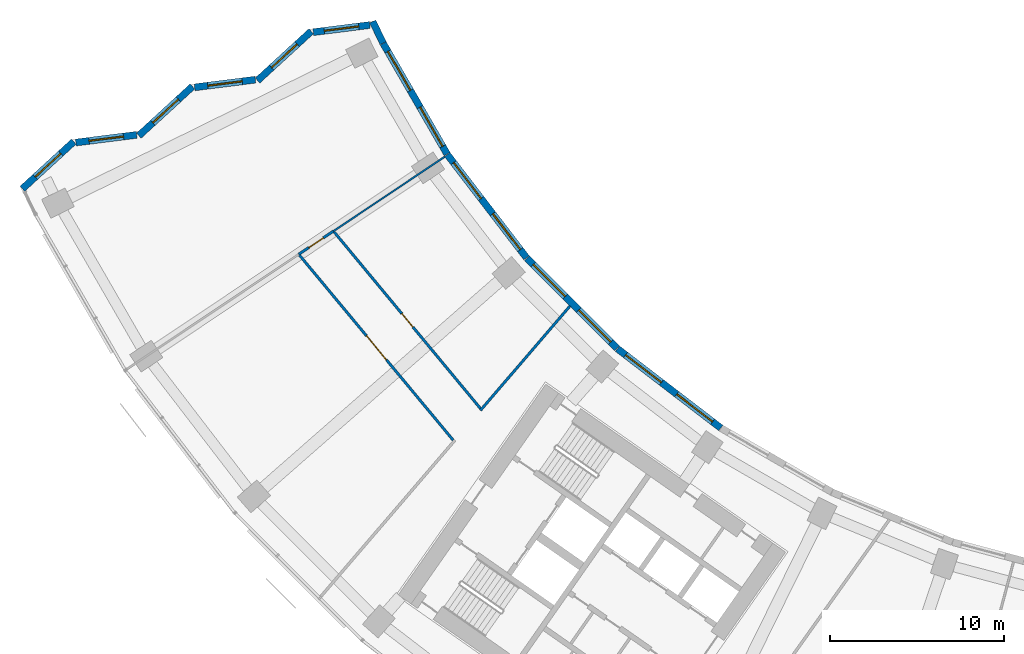
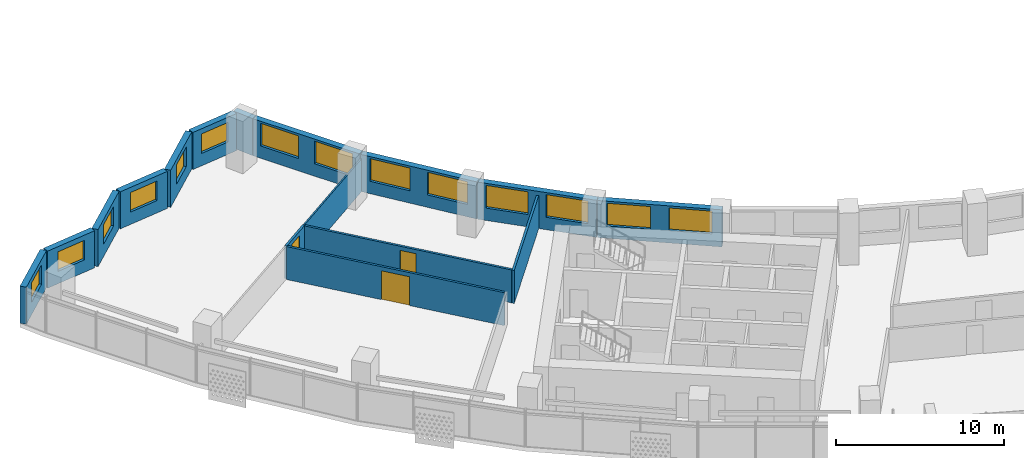
# One storey, part 5 of 30: 16 walls, 14 windows, 3 doors, 17 openings.
"""IFC4 building model written with IfcOpenShell, lengths in metres."""

import ifcopenshell
import ifcopenshell.guid

model = None  # the IFC model being written
_history = None  # IfcOwnerHistory: only IFC2X3 demands one
_inside = {}  # id of a spatial element -> (the spatial element, [elements in it])
_under = {}  # id of a project, library or spatial element -> (it, [spatial elements below it])
_declared = {}  # id of a project -> (the project, [libraries it declares])
_typed = {}  # id of a type object -> (the type object, [elements of that type])
_made_of = {}  # id of a material, layer set ... -> (it, [elements and type objects made of it])


def new_model(schema):
    """Start an empty IFC model of exactly this schema.

    Asked for "IFC4X3", IfcOpenShell would pick the latest addendum, in which some entities
    have other attributes; the version numbers below select the first issue.
    IFC2X3 requires an IfcOwnerHistory on every rooted entity: one is made here for all.
    """
    global model, _history
    if schema == "IFC4X3":
        model = ifcopenshell.file(schema_version=(4, 3, 0, 0))
    else:
        model = ifcopenshell.file(schema=schema)
    _inside.clear()
    _under.clear()
    _declared.clear()
    _typed.clear()
    _made_of.clear()
    _history = None
    if model.schema == "IFC2X3":
        org = make("IfcOrganization", Name="unknown")
        user = make(
            "IfcPersonAndOrganization",
            ThePerson=make("IfcPerson", FamilyName="unknown"),
            TheOrganization=org,
        )
        app = make(
            "IfcApplication",
            ApplicationDeveloper=org,
            Version="unknown",
            ApplicationFullName="unknown",
            ApplicationIdentifier="unknown",
        )
        _history = make(
            "IfcOwnerHistory",
            OwningUser=user,
            OwningApplication=app,
            ChangeAction="ADDED",
            CreationDate=0,
        )
    return model


def make(cls, **values):
    """One entity of the class cls with the attributes given. An attribute that is None is left unset."""
    return model.create_entity(
        cls, **{name: value for name, value in values.items() if value is not None}
    )


def rooted(cls, **values):
    """An entity with a GlobalId (a new one), such as an element, a storey or a relation."""
    return make(cls, GlobalId=ifcopenshell.guid.new(), OwnerHistory=_history, **values)


def si_unit(unit_type, name, prefix=None):
    """IfcSIUnit, for example si_unit("LENGTHUNIT", "METRE", prefix="MILLI")."""
    return make("IfcSIUnit", UnitType=unit_type, Prefix=prefix, Name=name)


def assignment(units):
    """IfcUnitAssignment: the units of a project."""
    return None if units is None else make("IfcUnitAssignment", Units=units)


def point(xyz):
    """IfcCartesianPoint."""
    return None if xyz is None else make("IfcCartesianPoint", Coordinates=xyz)


def direction(xyz):
    """IfcDirection."""
    return None if xyz is None else make("IfcDirection", DirectionRatios=xyz)


def frame(location, z_axis=None, x_axis=None):
    """IfcAxis2Placement3D, a coordinate frame: its origin and axes. An axis left out is left unset."""
    return make(
        "IfcAxis2Placement3D",
        Location=point(location),
        Axis=direction(z_axis),
        RefDirection=direction(x_axis),
    )


def frame_2d(location, x_axis=None):
    """IfcAxis2Placement2D, a coordinate frame in the plane: its origin and x axis."""
    return make(
        "IfcAxis2Placement2D", Location=point(location), RefDirection=direction(x_axis)
    )


def origin():
    """The frame at (0, 0, 0) with its axes left unset."""
    return frame((0.0, 0.0, 0.0))


def place(relative_to, where):
    """IfcLocalPlacement: puts the frame where relative to a parent placement (None: the world)."""
    return make(
        "IfcLocalPlacement", PlacementRelTo=relative_to, RelativePlacement=where
    )


def context(
    kind, dimensions, precision=None, world=None, true_north=None, identifier=None
):
    """IfcGeometricRepresentationContext, for example the 3D "Model" context."""
    return make(
        "IfcGeometricRepresentationContext",
        ContextIdentifier=identifier,
        ContextType=kind,
        CoordinateSpaceDimension=dimensions,
        Precision=precision,
        WorldCoordinateSystem=world,
        TrueNorth=true_north,
    )


def subcontext(parent, identifier, kind, view, scale=None):
    """IfcGeometricRepresentationSubContext, for example "Body" below "Model"."""
    return make(
        "IfcGeometricRepresentationSubContext",
        ContextIdentifier=identifier,
        ContextType=kind,
        ParentContext=parent,
        TargetScale=scale,
        TargetView=view,
    )


def project(units=None, contexts=None):
    """IfcProject with its units and contexts."""
    return rooted(
        "IfcProject",
        Name="project",
        RepresentationContexts=contexts,
        UnitsInContext=assignment(units),
    )


def spatial(cls, under=None, at=None, **own):
    """A site, building, storey or space (cls), placed at a placement, below another one or the project."""
    s = rooted(cls, ObjectPlacement=at, **own)
    if under is not None:
        _under.setdefault(under.id(), (under, []))[1].append(s)
    return s


def profile(cls, at=None, kind="AREA", **sizes):
    """A parametric profile (cls). Its sizes go by their IFC names, for example OverallWidth=200.0."""
    return make(cls, ProfileType=kind, Position=at, **sizes)


def rectangle(**sizes):
    """IfcRectangleProfileDef."""
    return profile("IfcRectangleProfileDef", **sizes)


def extrude(swept, where, along, depth):
    """IfcExtrudedAreaSolid: the profile swept, set in the frame where, extruded along a direction by depth."""
    return make(
        "IfcExtrudedAreaSolid",
        SweptArea=swept,
        Position=where,
        ExtrudedDirection=direction(along),
        Depth=depth,
    )


def shape(context_of_items, identifier, shape_type, items):
    """IfcShapeRepresentation: the items that make up one representation, for example the "Body"."""
    return make(
        "IfcShapeRepresentation",
        ContextOfItems=context_of_items,
        RepresentationIdentifier=identifier,
        RepresentationType=shape_type,
        Items=items,
    )


def material(Name=None, Category=None):
    """IfcMaterial."""
    return make("IfcMaterial", Name=Name, Category=Category)


def layer(
    of_material, thickness, ventilated=None, Name=None, Category=None, Priority=None
):
    """IfcMaterialLayer: one layer of a wall or slab, of a material (None: an air gap)."""
    return make(
        "IfcMaterialLayer",
        Material=of_material,
        LayerThickness=thickness,
        IsVentilated=ventilated,
        Name=Name,
        Category=Category,
        Priority=Priority,
    )


def layer_set(layers, Name=None):
    """IfcMaterialLayerSet."""
    return make("IfcMaterialLayerSet", MaterialLayers=layers, LayerSetName=Name)


def made_of(thing, what):
    """Note that an element or type object is made of a material, layer set ...; save() writes the relation."""
    if what is not None:
        _made_of.setdefault(what.id(), (what, []))[1].append(thing)
    return thing


def type_object(cls, material=None, **own):
    """A type object (cls), such as IfcWallType, which elements share."""
    return made_of(rooted(cls, **own), material)


def element(
    cls,
    number,
    at=None,
    inside=None,
    cuts=None,
    type_object=None,
    material=None,
    context=None,
    identifier="Body",
    shape_type=None,
    held_by="IfcProductDefinitionShape",
    body=None,
    shapes=None,
    **own,
):
    """One element of the class cls, such as IfcWall. Its Tag is "e" and its number.

    at: its placement. inside: the storey or other place that contains it. cuts: it is an
    opening in that element (IfcRelVoidsElement). A single representation is given by context,
    identifier, shape_type and body (its items); several are given by shapes. held_by: the class
    of the entity that holds the representations. save() writes the other relations.
    """
    e = rooted(cls, Tag="e%d" % number, ObjectPlacement=at, **own)
    if body is not None:
        shapes = [shape(context, identifier, shape_type, body)]
    if shapes is not None:
        e.Representation = make(held_by, Representations=shapes)
    if inside is not None:
        _inside.setdefault(inside.id(), (inside, []))[1].append(e)
    if cuts is not None:
        rooted(
            "IfcRelVoidsElement", RelatingBuildingElement=cuts, RelatedOpeningElement=e
        )
    if type_object is not None:
        _typed.setdefault(type_object.id(), (type_object, []))[1].append(e)
    return made_of(e, material)


def fill(opening, filler):
    """IfcRelFillsElement: the door or window that sits in an opening."""
    return rooted(
        "IfcRelFillsElement",
        RelatingOpeningElement=opening,
        RelatedBuildingElement=filler,
    )


def aggregate(whole, parts):
    """IfcRelAggregates: a whole, such as a stair, and the parts it consists of."""
    return rooted("IfcRelAggregates", RelatingObject=whole, RelatedObjects=parts)


def save(model, path):
    """Write the relations noted so far, then the file.

    IfcRelAggregates (storeys below a building ...), IfcRelContainedInSpatialStructure (elements
    in a storey), IfcRelDefinesByType, IfcRelAssociatesMaterial and IfcRelDeclares: one each for
    every whole, place, type object, material and project.
    """
    for whole, parts in _under.values():
        aggregate(whole, parts)
    for where, things in _inside.values():
        rooted(
            "IfcRelContainedInSpatialStructure",
            RelatedElements=things,
            RelatingStructure=where,
        )
    for kind, things in _typed.values():
        rooted("IfcRelDefinesByType", RelatedObjects=things, RelatingType=kind)
    for what, things in _made_of.values():
        rooted("IfcRelAssociatesMaterial", RelatedObjects=things, RelatingMaterial=what)
    for by, libraries in _declared.values():
        rooted("IfcRelDeclares", RelatingContext=by, RelatedDefinitions=libraries)
    model.write(path)


model = new_model("IFC4")

# Units and contexts
model_context = context("Model", 3, precision=1e-05, world=origin(), true_north=direction((0.0, 1.0)))
body_context = subcontext(model_context, "Body", "Model", "MODEL_VIEW")
ifc_project = project(units=[si_unit("LENGTHUNIT", "METRE"), si_unit("AREAUNIT", "SQUARE_METRE"), si_unit("VOLUMEUNIT", "CUBIC_METRE"), si_unit("PLANEANGLEUNIT", "RADIAN"), si_unit("MASSUNIT", "GRAM", prefix="KILO")], contexts=[model_context])

# Site, building, storey
site_placement = place(None, origin())
site = spatial("IfcSite", under=ifc_project, at=site_placement, CompositionType="ELEMENT")
building_placement = place(site_placement, origin())
building = spatial("IfcBuilding", under=site, at=building_placement, Name="Qamariyya Broadcast Tower", CompositionType="ELEMENT")
storey_placement = place(building_placement, frame((0.0, 0.0, 98.699951171875)))
storey = spatial("IfcBuildingStorey", under=building, at=storey_placement, Name="L21", CompositionType="ELEMENT", Elevation=98.699951171875)

# Wall, opening, door
ifc_material_1 = material(Name="Gypsum board partition")
ifc_layer_1 = layer(ifc_material_1, 0.14990234375)
ifc_layer_set_1 = layer_set([ifc_layer_1], Name="Corridor partition 150 EI 60")
wall_type_1 = type_object("IfcWallType", Name="Corridor partition 150 EI 60", PredefinedType="PARTITIONING", material=ifc_layer_set_1)
wall_1_placement = place(storey_placement, frame((-55.874755859375, -37.334228515625, 0.0), z_axis=(0.0, 0.0, 1.0), x_axis=(0.831502137361, 0.555521552744, 0.0)))
wall_1 = element("IfcWall", 1, at=wall_1_placement, inside=storey, type_object=wall_type_1, Name="Partition L21-002", PredefinedType="PARTITIONING", context=body_context, shape_type="SweptSolid", body=[
    extrude(rectangle(XDim=2.39990234375, YDim=0.14990234375, at=frame_2d((1.199951171875, 0.0))), origin(), (0.0, 0.0, 1.0), 2.400146484375),
])
opening_1_placement = place(wall_1_placement, frame((0.699951171875, 0.0, 0.0)))
opening_1 = element("IfcOpeningElement", 2, at=opening_1_placement, cuts=wall_1, Name="Opening L21-D14", PredefinedType="OPENING", context=body_context, shape_type="SweptSolid", body=[
    extrude(rectangle(XDim=1.0, YDim=2.10009765625, at=frame_2d((0.5, 1.050048828125))), frame((0.0, 0.0849609375, 0.0), z_axis=(0.0, -1.0, 0.0), x_axis=(1.0, 0.0, 0.0)), (0.0, 0.0, 1.0), 0.169921875),
])
ifc_material_2 = material(Name="Timber fire door leaf", Category="wood")
door_type_1 = type_object("IfcDoorType", Name="Fire door 1000 x 2100 FD60", OperationType="NOTDEFINED", PredefinedType="DOOR", material=ifc_material_2)
door_1_placement = place(opening_1_placement, origin())
door_1 = element("IfcDoor", 3, at=door_1_placement, inside=storey, type_object=door_type_1, Name="Door L21-D14", OperationType="SINGLE_SWING_RIGHT", OverallHeight=2.10009765625, OverallWidth=1.0, PredefinedType="DOOR", context=body_context, shape_type="SweptSolid", body=[
    extrude(rectangle(XDim=1.0, YDim=2.10009765625, at=frame_2d((0.5, 1.050048828125))), frame((0.0, 0.02490234375, 0.0), z_axis=(0.0, -1.0, 0.0), x_axis=(1.0, 0.0, 0.0)), (0.0, 0.0, 1.0), 0.050048828125),
])
fill(opening_1, door_1)

wall_2_placement = place(storey_placement, frame((-46.986572265625, -48.031982421875, 0.0), z_axis=(0.0, 0.0, 1.0), x_axis=(-0.639064031796, 0.76915353686, 0.0)))
wall_2 = element("IfcWall", 4, at=wall_2_placement, inside=storey, type_object=wall_type_1, Name="Partition L21-004", PredefinedType="PARTITIONING", context=body_context, shape_type="SweptSolid", body=[
    extrude(rectangle(XDim=13.833251953125, YDim=0.14990234375, at=frame_2d((6.91650390625, 0.0))), origin(), (0.0, 0.0, 1.0), 2.400146484375),
])
opening_2_placement = place(wall_2_placement, frame((6.0166015625, 0.0, 0.0)))
opening_2 = element("IfcOpeningElement", 5, at=opening_2_placement, cuts=wall_2, Name="Opening L21-D13", PredefinedType="OPENING", context=body_context, shape_type="SweptSolid", body=[
    extrude(rectangle(XDim=1.800048828125, YDim=2.10009765625, at=frame_2d((0.89990234375, 1.050048828125))), frame((0.0, 0.0849609375, 0.0), z_axis=(0.0, -1.0, 0.0), x_axis=(1.0, 0.0, 0.0)), (0.0, 0.0, 1.0), 0.169921875),
])
door_type_2 = type_object("IfcDoorType", Name="Double fire door 1800 x 2100 FD60", OperationType="NOTDEFINED", PredefinedType="DOOR", material=ifc_material_2)
door_2_placement = place(opening_2_placement, origin())
door_2 = element("IfcDoor", 6, at=door_2_placement, inside=storey, type_object=door_type_2, Name="Door L21-D13", OperationType="DOUBLE_DOOR_SINGLE_SWING", OverallHeight=2.10009765625, OverallWidth=1.800048828125, PredefinedType="DOOR", context=body_context, shape_type="SweptSolid", body=[
    extrude(rectangle(XDim=1.800048828125, YDim=2.10009765625, at=frame_2d((0.89990234375, 1.050048828125))), frame((0.0, 0.02490234375, 0.0), z_axis=(0.0, -1.0, 0.0), x_axis=(1.0, 0.0, 0.0)), (0.0, 0.0, 1.0), 0.050048828125),
])
fill(opening_2, door_2)

wall_3_placement = place(storey_placement, frame((-53.831298828125, -36.05859375, 0.0), z_axis=(0.0, 0.0, 1.0), x_axis=(0.638141497298, -0.769919105768, 0.0)))
wall_3 = element("IfcWall", 7, at=wall_3_placement, inside=storey, type_object=wall_type_1, Name="Partition L21-006", PredefinedType="PARTITIONING", context=body_context, shape_type="SweptSolid", body=[
    extrude(rectangle(XDim=13.179931640625, YDim=0.14990234375, at=frame_2d((6.58984375, 0.0))), origin(), (0.0, 0.0, 1.0), 2.400146484375),
])
opening_3_placement = place(wall_3_placement, frame((6.08984375, 0.0, 0.0)))
opening_3 = element("IfcOpeningElement", 8, at=opening_3_placement, cuts=wall_3, Name="Opening L21-D12", PredefinedType="OPENING", context=body_context, shape_type="SweptSolid", body=[
    extrude(rectangle(XDim=1.0, YDim=2.10009765625, at=frame_2d((0.5, 1.050048828125))), frame((0.0, 0.0849609375, 0.0), z_axis=(0.0, -1.0, 0.0), x_axis=(1.0, 0.0, 0.0)), (0.0, 0.0, 1.0), 0.169921875),
])
door_3_placement = place(opening_3_placement, origin())
door_3 = element("IfcDoor", 9, at=door_3_placement, inside=storey, type_object=door_type_1, Name="Door L21-D12", OperationType="SINGLE_SWING_RIGHT", OverallHeight=2.10009765625, OverallWidth=1.0, PredefinedType="DOOR", context=body_context, shape_type="SweptSolid", body=[
    extrude(rectangle(XDim=1.0, YDim=2.10009765625, at=frame_2d((0.5, 1.050048828125))), frame((0.0, 0.02490234375, 0.0), z_axis=(0.0, -1.0, 0.0), x_axis=(1.0, 0.0, 0.0)), (0.0, 0.0, 1.0), 0.050048828125),
])
fill(opening_3, door_3)

# Walls
wall_4_placement = place(storey_placement, frame((-40.267578125, -40.310791015625, 0.0), z_axis=(0.0, 0.0, 1.0), x_axis=(-0.65098181151, -0.759093328309, 0.0)))
element("IfcWall", 10, at=wall_4_placement, inside=storey, type_object=wall_type_1, Name="Partition L21-007", PredefinedType="PARTITIONING", context=body_context, shape_type="SweptSolid", body=[
    extrude(rectangle(XDim=7.917236328125, YDim=0.14990234375, at=frame_2d((3.95849609375, 0.0))), origin(), (0.0, 0.0, 1.0), 2.400146484375),
])
ifc_layer_2 = layer(ifc_material_1, 0.10009765625)
ifc_layer_set_2 = layer_set([ifc_layer_2], Name="Partition 100")
wall_type_2 = type_object("IfcWallType", Name="Partition 100", PredefinedType="PARTITIONING", material=ifc_layer_set_2)
wall_5_placement = place(storey_placement, frame((-53.879150390625, -36.0009765625, 0.0), z_axis=(0.0, 0.0, 1.0), x_axis=(0.831474249382, 0.555563293078, 0.0)))
element("IfcWall", 11, at=wall_5_placement, inside=storey, type_object=wall_type_2, Name="Partition L21-003", PredefinedType="PARTITIONING", context=body_context, shape_type="SweptSolid", body=[
    extrude(rectangle(XDim=7.699951171875, YDim=0.10009765625, at=frame_2d((3.85009765625, 0.0))), origin(), (0.0, 0.0, 1.0), 2.400146484375),
])

# Wall, opening, window
ifc_material_3 = material(Name="Terracotta", Category="masonry")
ifc_layer_3 = layer(ifc_material_3, 0.39990234375)
ifc_layer_set_3 = layer_set([ifc_layer_3], Name="Terracotta clad wall 400")
wall_type_3 = type_object("IfcWallType", Name="Terracotta clad wall 400", PredefinedType="SOLIDWALL", material=ifc_layer_set_3)
wall_6_placement = place(storey_placement, frame((-51.78515625, -24.1416015625, 0.0), z_axis=(0.0, 0.0, 1.0), x_axis=(-0.992108375662, -0.125383296105, 0.0)))
wall_6 = element("IfcWall", 12, at=wall_6_placement, inside=storey, type_object=wall_type_3, Name="e-wl-L21-capW0", PredefinedType="SOLIDWALL", context=body_context, shape_type="SweptSolid", body=[
    extrude(rectangle(XDim=3.275146484375, YDim=0.39990234375, at=frame_2d((1.6376953125, 0.0))), origin(), (0.0, 0.0, 1.0), 2.699951171875),
])
opening_4_placement = place(wall_6_placement, frame((0.6376953125, 0.0, 0.89990234375)))
opening_4 = element("IfcOpeningElement", 13, at=opening_4_placement, cuts=wall_6, Name="Opening W4", PredefinedType="OPENING", context=body_context, shape_type="SweptSolid", body=[
    extrude(rectangle(XDim=2.0, YDim=1.425048828125, at=frame_2d((1.0, 0.71240234375))), frame((0.0, 0.2099609375, 0.0), z_axis=(0.0, -1.0, 0.0), x_axis=(1.0, 0.0, 0.0)), (0.0, 0.0, 1.0), 0.419921875),
])
ifc_material_4 = material(Name="Clear low-e double glazed unit in aluminium frame", Category="aluminium")
window_type_1 = type_object("IfcWindowType", Name="Horn bay window 2000 x 1425", PartitioningType="SINGLE_PANEL", PredefinedType="WINDOW", material=ifc_material_4)
window_1_placement = place(opening_4_placement, origin())
window_1 = element("IfcWindow", 14, at=window_1_placement, inside=storey, type_object=window_type_1, Name="e-w-L21-capW0", OverallHeight=1.425048828125, OverallWidth=2.0, PartitioningType="SINGLE_PANEL", PredefinedType="WINDOW", context=body_context, shape_type="SweptSolid", body=[
    extrude(rectangle(XDim=2.0, YDim=1.425048828125, at=frame_2d((1.0, 0.71240234375))), frame((0.0, 0.030029296875, 0.0), z_axis=(0.0, -1.0, 0.0), x_axis=(1.0, 0.0, 0.0)), (0.0, 0.0, 1.0), 0.06005859375),
])
fill(opening_4, window_1)

wall_7_placement = place(storey_placement, frame((-55.1572265625, -24.500732421875, 0.0), z_axis=(0.0, 0.0, 1.0), x_axis=(-0.736808551759, -0.676101440654, 0.0)))
wall_7 = element("IfcWall", 15, at=wall_7_placement, inside=storey, type_object=wall_type_3, Name="e-wl-L21-capW1", PredefinedType="SOLIDWALL", context=body_context, shape_type="SweptSolid", body=[
    extrude(rectangle(XDim=4.194580078125, YDim=0.39990234375, at=frame_2d((2.09716796875, 0.0))), origin(), (0.0, 0.0, 1.0), 2.699951171875),
])
opening_5_placement = place(wall_7_placement, frame((1.09716796875, 0.0, 0.89990234375)))
opening_5 = element("IfcOpeningElement", 16, at=opening_5_placement, cuts=wall_7, Name="Opening W4", PredefinedType="OPENING", context=body_context, shape_type="SweptSolid", body=[
    extrude(rectangle(XDim=2.0, YDim=1.425048828125, at=frame_2d((1.0, 0.71240234375))), frame((0.0, 0.2099609375, 0.0), z_axis=(0.0, -1.0, 0.0), x_axis=(1.0, 0.0, 0.0)), (0.0, 0.0, 1.0), 0.419921875),
])
window_2_placement = place(opening_5_placement, origin())
window_2 = element("IfcWindow", 17, at=window_2_placement, inside=storey, type_object=window_type_1, Name="e-w-L21-capW1", OverallHeight=1.425048828125, OverallWidth=2.0, PartitioningType="SINGLE_PANEL", PredefinedType="WINDOW", context=body_context, shape_type="SweptSolid", body=[
    extrude(rectangle(XDim=2.0, YDim=1.425048828125, at=frame_2d((1.0, 0.71240234375))), frame((0.0, 0.030029296875, 0.0), z_axis=(0.0, -1.0, 0.0), x_axis=(1.0, 0.0, 0.0)), (0.0, 0.0, 1.0), 0.06005859375),
])
fill(opening_5, window_2)

wall_8_placement = place(storey_placement, frame((-58.37060546875, -27.28515625, 0.0), z_axis=(0.0, 0.0, 1.0), x_axis=(-0.992101049889, -0.125441248436, 0.0)))
wall_8 = element("IfcWall", 18, at=wall_8_placement, inside=storey, type_object=wall_type_3, Name="e-wl-L21-capW2", PredefinedType="SOLIDWALL", context=body_context, shape_type="SweptSolid", body=[
    extrude(rectangle(XDim=3.524658203125, YDim=0.39990234375, at=frame_2d((1.76220703125, 0.0))), origin(), (0.0, 0.0, 1.0), 2.699951171875),
])
opening_6_placement = place(wall_8_placement, frame((0.762451171875, 0.0, 0.89990234375)))
opening_6 = element("IfcOpeningElement", 19, at=opening_6_placement, cuts=wall_8, Name="Opening W4", PredefinedType="OPENING", context=body_context, shape_type="SweptSolid", body=[
    extrude(rectangle(XDim=2.0, YDim=1.425048828125, at=frame_2d((1.0, 0.71240234375))), frame((0.0, 0.2099609375, 0.0), z_axis=(0.0, -1.0, 0.0), x_axis=(1.0, 0.0, 0.0)), (0.0, 0.0, 1.0), 0.419921875),
])
window_3_placement = place(opening_6_placement, origin())
window_3 = element("IfcWindow", 20, at=window_3_placement, inside=storey, type_object=window_type_1, Name="e-w-L21-capW2", OverallHeight=1.425048828125, OverallWidth=2.0, PartitioningType="SINGLE_PANEL", PredefinedType="WINDOW", context=body_context, shape_type="SweptSolid", body=[
    extrude(rectangle(XDim=2.0, YDim=1.425048828125, at=frame_2d((1.0, 0.71240234375))), frame((0.0, 0.030029296875, 0.0), z_axis=(0.0, -1.0, 0.0), x_axis=(1.0, 0.0, 0.0)), (0.0, 0.0, 1.0), 0.06005859375),
])
fill(opening_6, window_3)

wall_9_placement = place(storey_placement, frame((-61.990234375, -27.67578125, 0.0), z_axis=(0.0, 0.0, 1.0), x_axis=(-0.736733485223, -0.676183238295, 0.0)))
wall_9 = element("IfcWall", 21, at=wall_9_placement, inside=storey, type_object=wall_type_3, Name="e-wl-L21-capW3", PredefinedType="SOLIDWALL", context=body_context, shape_type="SweptSolid", body=[
    extrude(rectangle(XDim=4.193359375, YDim=0.39990234375, at=frame_2d((2.0966796875, 0.0))), origin(), (0.0, 0.0, 1.0), 2.699951171875),
])
opening_7_placement = place(wall_9_placement, frame((1.0966796875, 0.0, 0.89990234375)))
opening_7 = element("IfcOpeningElement", 22, at=opening_7_placement, cuts=wall_9, Name="Opening W4", PredefinedType="OPENING", context=body_context, shape_type="SweptSolid", body=[
    extrude(rectangle(XDim=2.0, YDim=1.425048828125, at=frame_2d((1.0, 0.71240234375))), frame((0.0, 0.2099609375, 0.0), z_axis=(0.0, -1.0, 0.0), x_axis=(1.0, 0.0, 0.0)), (0.0, 0.0, 1.0), 0.419921875),
])
window_4_placement = place(opening_7_placement, origin())
window_4 = element("IfcWindow", 23, at=window_4_placement, inside=storey, type_object=window_type_1, Name="e-w-L21-capW3", OverallHeight=1.425048828125, OverallWidth=2.0, PartitioningType="SINGLE_PANEL", PredefinedType="WINDOW", context=body_context, shape_type="SweptSolid", body=[
    extrude(rectangle(XDim=2.0, YDim=1.425048828125, at=frame_2d((1.0, 0.71240234375))), frame((0.0, 0.030029296875, 0.0), z_axis=(0.0, -1.0, 0.0), x_axis=(1.0, 0.0, 0.0)), (0.0, 0.0, 1.0), 0.06005859375),
])
fill(opening_7, window_4)

wall_10_placement = place(storey_placement, frame((-65.202392578125, -30.4599609375, 0.0), z_axis=(0.0, 0.0, 1.0), x_axis=(-0.992096790069, -0.125474934292, 0.0)))
wall_10 = element("IfcWall", 24, at=wall_10_placement, inside=storey, type_object=wall_type_3, Name="e-wl-L21-capW4", PredefinedType="SOLIDWALL", context=body_context, shape_type="SweptSolid", body=[
    extrude(rectangle(XDim=3.525634765625, YDim=0.39990234375, at=frame_2d((1.7626953125, 0.0))), origin(), (0.0, 0.0, 1.0), 2.699951171875),
])
opening_8_placement = place(wall_10_placement, frame((0.762939453125, 0.0, 0.89990234375)))
opening_8 = element("IfcOpeningElement", 25, at=opening_8_placement, cuts=wall_10, Name="Opening W4", PredefinedType="OPENING", context=body_context, shape_type="SweptSolid", body=[
    extrude(rectangle(XDim=2.0, YDim=1.425048828125, at=frame_2d((1.0, 0.71240234375))), frame((0.0, 0.2099609375, 0.0), z_axis=(0.0, -1.0, 0.0), x_axis=(1.0, 0.0, 0.0)), (0.0, 0.0, 1.0), 0.419921875),
])
window_5_placement = place(opening_8_placement, origin())
window_5 = element("IfcWindow", 26, at=window_5_placement, inside=storey, type_object=window_type_1, Name="e-w-L21-capW4", OverallHeight=1.425048828125, OverallWidth=2.0, PartitioningType="SINGLE_PANEL", PredefinedType="WINDOW", context=body_context, shape_type="SweptSolid", body=[
    extrude(rectangle(XDim=2.0, YDim=1.425048828125, at=frame_2d((1.0, 0.71240234375))), frame((0.0, 0.030029296875, 0.0), z_axis=(0.0, -1.0, 0.0), x_axis=(1.0, 0.0, 0.0)), (0.0, 0.0, 1.0), 0.06005859375),
])
fill(opening_8, window_5)

wall_11_placement = place(storey_placement, frame((-68.822998046875, -30.850830078125, 0.0), z_axis=(0.0, 0.0, 1.0), x_axis=(-0.736633780295, -0.676291855435, 0.0)))
wall_11 = element("IfcWall", 27, at=wall_11_placement, inside=storey, type_object=wall_type_3, Name="e-wl-L21-capW5", PredefinedType="SOLIDWALL", context=body_context, shape_type="SweptSolid", body=[
    extrude(rectangle(XDim=4.013671875, YDim=0.39990234375, at=frame_2d((2.0068359375, 0.0))), origin(), (0.0, 0.0, 1.0), 2.699951171875),
])
opening_9_placement = place(wall_11_placement, frame((1.0068359375, 0.0, 0.89990234375)))
opening_9 = element("IfcOpeningElement", 28, at=opening_9_placement, cuts=wall_11, Name="Opening W4", PredefinedType="OPENING", context=body_context, shape_type="SweptSolid", body=[
    extrude(rectangle(XDim=2.0, YDim=1.425048828125, at=frame_2d((1.0, 0.71240234375))), frame((0.0, 0.2099609375, 0.0), z_axis=(0.0, -1.0, 0.0), x_axis=(1.0, 0.0, 0.0)), (0.0, 0.0, 1.0), 0.419921875),
])
window_6_placement = place(opening_9_placement, origin())
window_6 = element("IfcWindow", 29, at=window_6_placement, inside=storey, type_object=window_type_1, Name="e-w-L21-capW5", OverallHeight=1.425048828125, OverallWidth=2.0, PartitioningType="SINGLE_PANEL", PredefinedType="WINDOW", context=body_context, shape_type="SweptSolid", body=[
    extrude(rectangle(XDim=2.0, YDim=1.425048828125, at=frame_2d((1.0, 0.71240234375))), frame((0.0, 0.030029296875, 0.0), z_axis=(0.0, -1.0, 0.0), x_axis=(1.0, 0.0, 0.0)), (0.0, 0.0, 1.0), 0.06005859375),
])
fill(opening_9, window_6)

# Wall
wall_12_placement = place(storey_placement, frame((-51.023193359375, -25.1845703125, 0.0), z_axis=(0.0, 0.0, 1.0), x_axis=(-0.431874556315, 0.901933682489, 0.0)))
element("IfcWall", 30, at=wall_12_placement, inside=storey, type_object=wall_type_3, Name="e-wl-L21-in00", PredefinedType="SOLIDWALL", context=body_context, shape_type="SweptSolid", body=[
    extrude(rectangle(XDim=1.381103515625, YDim=0.39990234375, at=frame_2d((0.6904296875, 0.0))), origin(), (0.0, 0.0, 1.0), 2.699951171875),
])

# Wall, openings, windows
wall_13_placement = place(storey_placement, frame((-47.33642578125, -31.568359375, 0.0), z_axis=(0.0, 0.0, 1.0), x_axis=(-0.499986743006, 0.866033057578, 0.0)))
wall_13 = element("IfcWall", 31, at=wall_13_placement, inside=storey, type_object=wall_type_3, Name="e-wl-L21-in10", PredefinedType="SOLIDWALL", context=body_context, shape_type="SweptSolid", body=[
    extrude(rectangle(XDim=7.356689453125, YDim=0.39990234375, at=frame_2d((3.67822265625, 0.0))), origin(), (0.0, 0.0, 1.0), 2.699951171875),
])
opening_10_placement = place(wall_13_placement, frame((4.224853515625, 0.0, 0.89990234375)))
opening_10 = element("IfcOpeningElement", 32, at=opening_10_placement, cuts=wall_13, Name="Opening W1", PredefinedType="OPENING", context=body_context, shape_type="SweptSolid", body=[
    extrude(rectangle(XDim=2.60009765625, YDim=1.64990234375, at=frame_2d((1.300048828125, 0.824951171875))), frame((0.0, 0.2099609375, 0.0), z_axis=(0.0, -1.0, 0.0), x_axis=(1.0, 0.0, 0.0)), (0.0, 0.0, 1.0), 0.419921875),
])
opening_11_placement = place(wall_13_placement, frame((0.5166015625, 0.0, 0.89990234375)))
opening_11 = element("IfcOpeningElement", 33, at=opening_11_placement, cuts=wall_13, Name="Opening W1", PredefinedType="OPENING", context=body_context, shape_type="SweptSolid", body=[
    extrude(rectangle(XDim=2.60009765625, YDim=1.64990234375, at=frame_2d((1.300048828125, 0.824951171875))), frame((0.0, 0.2099609375, 0.0), z_axis=(0.0, -1.0, 0.0), x_axis=(1.0, 0.0, 0.0)), (0.0, 0.0, 1.0), 0.419921875),
])
window_type_2 = type_object("IfcWindowType", Name="Ribbon window 2600 x 1650", PartitioningType="SINGLE_PANEL", PredefinedType="WINDOW", material=ifc_material_4)
window_7_placement = place(opening_10_placement, origin())
window_7 = element("IfcWindow", 34, at=window_7_placement, inside=storey, type_object=window_type_2, Name="e-w-L21-in01-0", OverallHeight=1.64990234375, OverallWidth=2.60009765625, PartitioningType="SINGLE_PANEL", PredefinedType="WINDOW", context=body_context, shape_type="SweptSolid", body=[
    extrude(rectangle(XDim=2.60009765625, YDim=1.64990234375, at=frame_2d((1.300048828125, 0.824951171875))), frame((0.0, 0.030029296875, 0.0), z_axis=(0.0, -1.0, 0.0), x_axis=(1.0, 0.0, 0.0)), (0.0, 0.0, 1.0), 0.06005859375),
])
fill(opening_10, window_7)
window_8_placement = place(opening_11_placement, origin())
window_8 = element("IfcWindow", 35, at=window_8_placement, inside=storey, type_object=window_type_2, Name="e-w-L21-in01-1", OverallHeight=1.64990234375, OverallWidth=2.60009765625, PartitioningType="SINGLE_PANEL", PredefinedType="WINDOW", context=body_context, shape_type="SweptSolid", body=[
    extrude(rectangle(XDim=2.60009765625, YDim=1.64990234375, at=frame_2d((1.300048828125, 0.824951171875))), frame((0.0, 0.030029296875, 0.0), z_axis=(0.0, -1.0, 0.0), x_axis=(1.0, 0.0, 0.0)), (0.0, 0.0, 1.0), 0.06005859375),
])
fill(opening_11, window_8)

wall_14_placement = place(storey_placement, frame((-42.764892578125, -37.536865234375, 0.0), z_axis=(0.0, 0.0, 1.0), x_axis=(-0.608748204711, 0.793363487476, 0.0)))
wall_14 = element("IfcWall", 36, at=wall_14_placement, inside=storey, type_object=wall_type_3, Name="e-wl-L21-in20", PredefinedType="SOLIDWALL", context=body_context, shape_type="SweptSolid", body=[
    extrude(rectangle(XDim=7.492919921875, YDim=0.39990234375, at=frame_2d((3.74658203125, 0.0))), origin(), (0.0, 0.0, 1.0), 2.699951171875),
])
opening_12_placement = place(wall_14_placement, frame((4.300537109375, 0.0, 0.89990234375)))
opening_12 = element("IfcOpeningElement", 37, at=opening_12_placement, cuts=wall_14, Name="Opening W1", PredefinedType="OPENING", context=body_context, shape_type="SweptSolid", body=[
    extrude(rectangle(XDim=2.60009765625, YDim=1.64990234375, at=frame_2d((1.300048828125, 0.824951171875))), frame((0.0, 0.2099609375, 0.0), z_axis=(0.0, -1.0, 0.0), x_axis=(1.0, 0.0, 0.0)), (0.0, 0.0, 1.0), 0.419921875),
])
opening_13_placement = place(wall_14_placement, frame((0.59228515625, 0.0, 0.89990234375)))
opening_13 = element("IfcOpeningElement", 38, at=opening_13_placement, cuts=wall_14, Name="Opening W1", PredefinedType="OPENING", context=body_context, shape_type="SweptSolid", body=[
    extrude(rectangle(XDim=2.60009765625, YDim=1.64990234375, at=frame_2d((1.300048828125, 0.824951171875))), frame((0.0, 0.2099609375, 0.0), z_axis=(0.0, -1.0, 0.0), x_axis=(1.0, 0.0, 0.0)), (0.0, 0.0, 1.0), 0.419921875),
])
window_9_placement = place(opening_12_placement, origin())
window_9 = element("IfcWindow", 39, at=window_9_placement, inside=storey, type_object=window_type_2, Name="e-w-L21-in02-0", OverallHeight=1.64990234375, OverallWidth=2.60009765625, PartitioningType="SINGLE_PANEL", PredefinedType="WINDOW", context=body_context, shape_type="SweptSolid", body=[
    extrude(rectangle(XDim=2.60009765625, YDim=1.64990234375, at=frame_2d((1.300048828125, 0.824951171875))), frame((0.0, 0.030029296875, 0.0), z_axis=(0.0, -1.0, 0.0), x_axis=(1.0, 0.0, 0.0)), (0.0, 0.0, 1.0), 0.06005859375),
])
fill(opening_12, window_9)
window_10_placement = place(opening_13_placement, origin())
window_10 = element("IfcWindow", 40, at=window_10_placement, inside=storey, type_object=window_type_2, Name="e-w-L21-in02-1", OverallHeight=1.64990234375, OverallWidth=2.60009765625, PartitioningType="SINGLE_PANEL", PredefinedType="WINDOW", context=body_context, shape_type="SweptSolid", body=[
    extrude(rectangle(XDim=2.60009765625, YDim=1.64990234375, at=frame_2d((1.300048828125, 0.824951171875))), frame((0.0, 0.030029296875, 0.0), z_axis=(0.0, -1.0, 0.0), x_axis=(1.0, 0.0, 0.0)), (0.0, 0.0, 1.0), 0.06005859375),
])
fill(opening_13, window_10)

wall_15_placement = place(storey_placement, frame((-37.552978515625, -42.744140625, 0.0), z_axis=(0.0, 0.0, 1.0), x_axis=(-0.707106781187, 0.707106781187, 0.0)))
wall_15 = element("IfcWall", 41, at=wall_15_placement, inside=storey, type_object=wall_type_3, Name="e-wl-L21-in30", PredefinedType="SOLIDWALL", context=body_context, shape_type="SweptSolid", body=[
    extrude(rectangle(XDim=7.34130859375, YDim=0.39990234375, at=frame_2d((3.670654296875, 0.0))), origin(), (0.0, 0.0, 1.0), 2.699951171875),
])
opening_14_placement = place(wall_15_placement, frame((4.224853515625, 0.0, 0.89990234375)))
opening_14 = element("IfcOpeningElement", 42, at=opening_14_placement, cuts=wall_15, Name="Opening W1", PredefinedType="OPENING", context=body_context, shape_type="SweptSolid", body=[
    extrude(rectangle(XDim=2.60009765625, YDim=1.64990234375, at=frame_2d((1.300048828125, 0.824951171875))), frame((0.0, 0.2099609375, 0.0), z_axis=(0.0, -1.0, 0.0), x_axis=(1.0, 0.0, 0.0)), (0.0, 0.0, 1.0), 0.419921875),
])
opening_15_placement = place(wall_15_placement, frame((0.5166015625, 0.0, 0.89990234375)))
opening_15 = element("IfcOpeningElement", 43, at=opening_15_placement, cuts=wall_15, Name="Opening W1", PredefinedType="OPENING", context=body_context, shape_type="SweptSolid", body=[
    extrude(rectangle(XDim=2.60009765625, YDim=1.64990234375, at=frame_2d((1.300048828125, 0.824951171875))), frame((0.0, 0.2099609375, 0.0), z_axis=(0.0, -1.0, 0.0), x_axis=(1.0, 0.0, 0.0)), (0.0, 0.0, 1.0), 0.419921875),
])
window_11_placement = place(opening_14_placement, origin())
window_11 = element("IfcWindow", 44, at=window_11_placement, inside=storey, type_object=window_type_2, Name="e-w-L21-in03-0", OverallHeight=1.64990234375, OverallWidth=2.60009765625, PartitioningType="SINGLE_PANEL", PredefinedType="WINDOW", context=body_context, shape_type="SweptSolid", body=[
    extrude(rectangle(XDim=2.60009765625, YDim=1.64990234375, at=frame_2d((1.300048828125, 0.824951171875))), frame((0.0, 0.030029296875, 0.0), z_axis=(0.0, -1.0, 0.0), x_axis=(1.0, 0.0, 0.0)), (0.0, 0.0, 1.0), 0.06005859375),
])
fill(opening_14, window_11)
window_12_placement = place(opening_15_placement, origin())
window_12 = element("IfcWindow", 45, at=window_12_placement, inside=storey, type_object=window_type_2, Name="e-w-L21-in03-1", OverallHeight=1.64990234375, OverallWidth=2.60009765625, PartitioningType="SINGLE_PANEL", PredefinedType="WINDOW", context=body_context, shape_type="SweptSolid", body=[
    extrude(rectangle(XDim=2.60009765625, YDim=1.64990234375, at=frame_2d((1.300048828125, 0.824951171875))), frame((0.0, 0.030029296875, 0.0), z_axis=(0.0, -1.0, 0.0), x_axis=(1.0, 0.0, 0.0)), (0.0, 0.0, 1.0), 0.06005859375),
])
fill(opening_15, window_12)

wall_16_placement = place(storey_placement, frame((-31.59228515625, -47.326171875, 0.0), z_axis=(0.0, 0.0, 1.0), x_axis=(-0.793363487476, 0.608748204711, 0.0)))
wall_16 = element("IfcWall", 46, at=wall_16_placement, inside=storey, type_object=wall_type_3, Name="e-wl-L21-in40", PredefinedType="SOLIDWALL", context=body_context, shape_type="SweptSolid", body=[
    extrude(rectangle(XDim=7.492919921875, YDim=0.39990234375, at=frame_2d((3.74658203125, 0.0))), origin(), (0.0, 0.0, 1.0), 2.699951171875),
])
opening_16_placement = place(wall_16_placement, frame((4.300537109375, 0.0, 0.89990234375)))
opening_16 = element("IfcOpeningElement", 47, at=opening_16_placement, cuts=wall_16, Name="Opening W1", PredefinedType="OPENING", context=body_context, shape_type="SweptSolid", body=[
    extrude(rectangle(XDim=2.60009765625, YDim=1.64990234375, at=frame_2d((1.300048828125, 0.824951171875))), frame((0.0, 0.2099609375, 0.0), z_axis=(0.0, -1.0, 0.0), x_axis=(1.0, 0.0, 0.0)), (0.0, 0.0, 1.0), 0.419921875),
])
opening_17_placement = place(wall_16_placement, frame((0.59228515625, 0.0, 0.89990234375)))
opening_17 = element("IfcOpeningElement", 48, at=opening_17_placement, cuts=wall_16, Name="Opening W1", PredefinedType="OPENING", context=body_context, shape_type="SweptSolid", body=[
    extrude(rectangle(XDim=2.60009765625, YDim=1.64990234375, at=frame_2d((1.300048828125, 0.824951171875))), frame((0.0, 0.2099609375, 0.0), z_axis=(0.0, -1.0, 0.0), x_axis=(1.0, 0.0, 0.0)), (0.0, 0.0, 1.0), 0.419921875),
])
window_13_placement = place(opening_16_placement, origin())
window_13 = element("IfcWindow", 49, at=window_13_placement, inside=storey, type_object=window_type_2, Name="e-w-L21-in04-0", OverallHeight=1.64990234375, OverallWidth=2.60009765625, PartitioningType="SINGLE_PANEL", PredefinedType="WINDOW", context=body_context, shape_type="SweptSolid", body=[
    extrude(rectangle(XDim=2.60009765625, YDim=1.64990234375, at=frame_2d((1.300048828125, 0.824951171875))), frame((0.0, 0.030029296875, 0.0), z_axis=(0.0, -1.0, 0.0), x_axis=(1.0, 0.0, 0.0)), (0.0, 0.0, 1.0), 0.06005859375),
])
fill(opening_16, window_13)
window_14_placement = place(opening_17_placement, origin())
window_14 = element("IfcWindow", 50, at=window_14_placement, inside=storey, type_object=window_type_2, Name="e-w-L21-in04-1", OverallHeight=1.64990234375, OverallWidth=2.60009765625, PartitioningType="SINGLE_PANEL", PredefinedType="WINDOW", context=body_context, shape_type="SweptSolid", body=[
    extrude(rectangle(XDim=2.60009765625, YDim=1.64990234375, at=frame_2d((1.300048828125, 0.824951171875))), frame((0.0, 0.030029296875, 0.0), z_axis=(0.0, -1.0, 0.0), x_axis=(1.0, 0.0, 0.0)), (0.0, 0.0, 1.0), 0.06005859375),
])
fill(opening_17, window_14)

save(model, "model.ifc")
